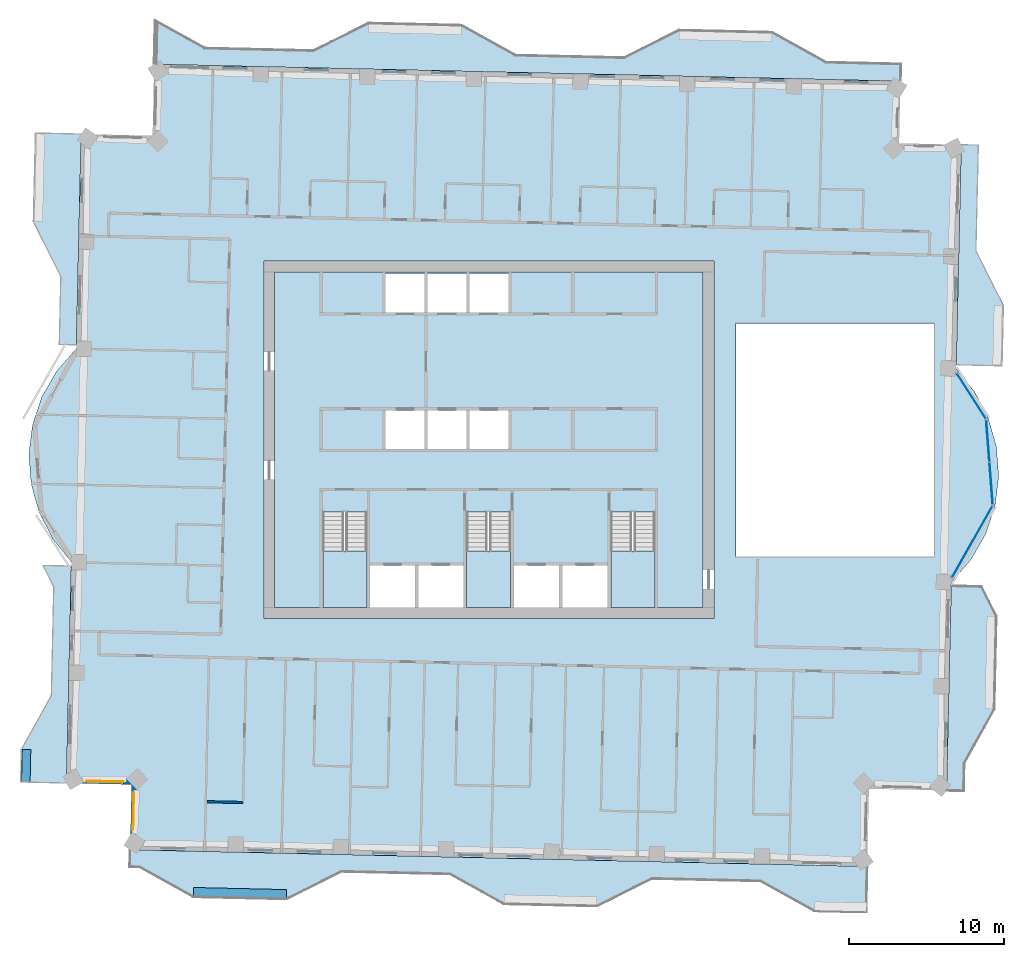
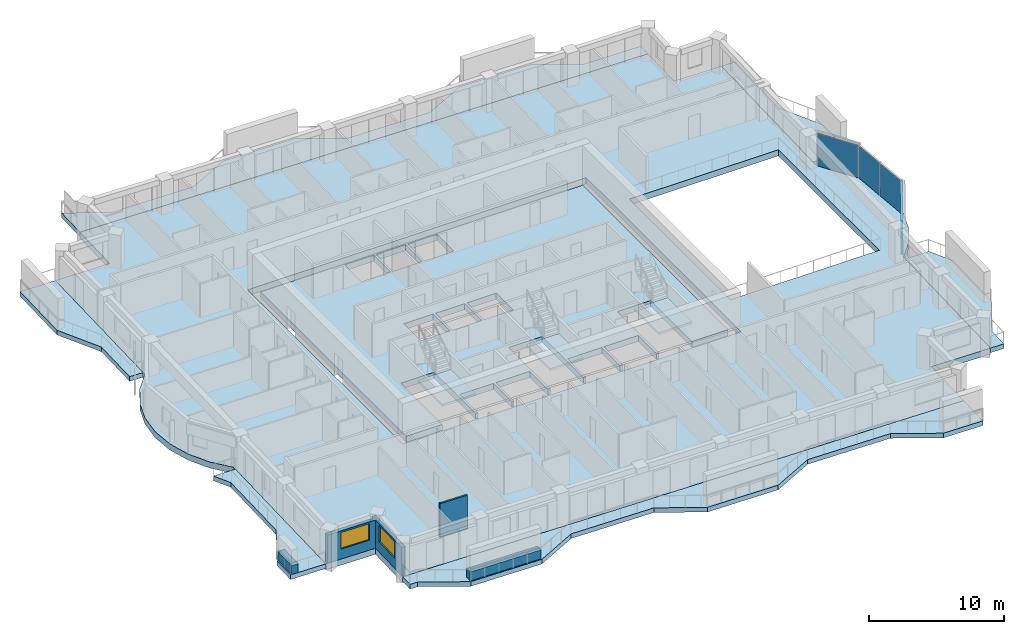
# One storey, part 5 of 17: 11 slabs, 5 walls, 4 plates, 2 windows, 2 openings, 6 elements without a shape of their own.
"""IFC4 building model written with IfcOpenShell, lengths in metres."""

from ifc_helpers import new_model, si_unit, direction, frame, frame_2d, origin, origin_2d, place, context, subcontext, project, spatial, polyline, rectangle, outline, extrude, material, layer, layer_set, type_object, element, fill, aggregate, save


model = new_model("IFC4")

# Units and contexts
model_context = context("Model", 3, precision=1e-05, world=origin(), true_north=direction((0.0, 1.0)))
body_context = subcontext(model_context, "Body", "Model", "MODEL_VIEW")
ifc_project = project(units=[si_unit("LENGTHUNIT", "METRE"), si_unit("AREAUNIT", "SQUARE_METRE"), si_unit("VOLUMEUNIT", "CUBIC_METRE"), si_unit("PLANEANGLEUNIT", "RADIAN"), si_unit("MASSUNIT", "GRAM", prefix="KILO")], contexts=[model_context])

# Site, building, storey
site_placement = place(None, origin())
site = spatial("IfcSite", under=ifc_project, at=site_placement, CompositionType="ELEMENT")
building_placement = place(site_placement, origin())
building = spatial("IfcBuilding", under=site, at=building_placement, Name="Mangrove Gate Tower", CompositionType="ELEMENT")
storey_placement = place(building_placement, frame((0.0, 0.0, 271.699951171875)))
storey = spatial("IfcBuildingStorey", under=building, at=storey_placement, Name="L69", CompositionType="ELEMENT", Elevation=271.699951171875)

# Curtain wall, plate
ifc_material_1 = material(Name="Aluminium and glass curtain wall", Category="aluminium")
curtain_wall_type = type_object("IfcCurtainWallType", Name="Atrium garden-court glazing wall", PredefinedType="NOTDEFINED", material=ifc_material_1)
curtain_wall_1_placement = place(storey_placement, origin())
curtain_wall_1 = element("IfcCurtainWall", 1, at=curtain_wall_1_placement, inside=storey, type_object=curtain_wall_type, Name="Atrium garden-court glazing E1f1", PredefinedType="NOTDEFINED")
ifc_material_2 = material(Name="Laminated low-e glass", Category="glass")
ifc_layer_1 = layer(ifc_material_2, 0.031982421875)
ifc_layer_set_1 = layer_set([ifc_layer_1], Name="Atrium garden-court glazing panel 32")
plate_type = type_object("IfcPlateType", Name="Atrium garden-court glazing panel 32", PredefinedType="CURTAIN_PANEL", material=ifc_layer_set_1)
plate_1_placement = place(storey_placement, frame((31.117919921875, -6.572509765625, 0.0), z_axis=(0.0, 0.0, 1.0), x_axis=(0.492567972087, 0.870273975754, 0.0)))
plate_1 = element("IfcPlate", 2, at=plate_1_placement, type_object=plate_type, Name="CWA panel 1.1", PredefinedType="CURTAIN_PANEL", context=body_context, shape_type="SweptSolid", body=[
    extrude(rectangle(XDim=5.257568359375, YDim=0.031982421875, at=origin_2d()), origin(), (0.0, 0.0, 1.0), 2.97998046875),
])
aggregate(curtain_wall_1, [plate_1])

# Curtain wall, plates
curtain_wall_2_placement = place(storey_placement, origin())
curtain_wall_2 = element("IfcCurtainWall", 3, at=curtain_wall_2_placement, inside=storey, type_object=curtain_wall_type, Name="Atrium garden-court glazing E1f2", PredefinedType="NOTDEFINED")
plate_2_placement = place(storey_placement, frame((32.338623046875, -2.817138671875, 0.0), z_axis=(0.0, 0.0, 1.0), x_axis=(-0.077023348403, 0.997029289339, 0.0)))
plate_2 = element("IfcPlate", 4, at=plate_2_placement, type_object=plate_type, Name="CWA panel 1.1", PredefinedType="CURTAIN_PANEL", context=body_context, shape_type="SweptSolid", body=[
    extrude(rectangle(XDim=2.681640625, YDim=0.031982421875, at=origin_2d()), origin(), (0.0, 0.0, 1.0), 2.97998046875),
])
plate_3_placement = place(storey_placement, frame((32.126708984375, -0.07373046875, 0.0), z_axis=(0.0, 0.0, 1.0), x_axis=(-0.077023348403, 0.997029289339, 0.0)))
plate_3 = element("IfcPlate", 5, at=plate_3_placement, type_object=plate_type, Name="CWA panel 2.1", PredefinedType="CURTAIN_PANEL", context=body_context, shape_type="SweptSolid", body=[
    extrude(rectangle(XDim=2.681640625, YDim=0.031982421875, at=origin_2d()), origin(), (0.0, 0.0, 1.0), 2.97998046875),
])
aggregate(curtain_wall_2, [plate_2, plate_3])

# Curtain wall, plate
curtain_wall_3_placement = place(storey_placement, origin())
curtain_wall_3 = element("IfcCurtainWall", 6, at=curtain_wall_3_placement, inside=storey, type_object=curtain_wall_type, Name="Atrium garden-court glazing E1f3", PredefinedType="NOTDEFINED")
plate_4_placement = place(storey_placement, frame((31.0537109375, 2.833984375, 0.0), z_axis=(0.0, 0.0, 1.0), x_axis=(-0.540498107045, 0.841345230141, 0.0)))
plate_4 = element("IfcPlate", 7, at=plate_4_placement, type_object=plate_type, Name="CWA panel 1.1", PredefinedType="CURTAIN_PANEL", context=body_context, shape_type="SweptSolid", body=[
    extrude(rectangle(XDim=3.427978515625, YDim=0.031982421875, at=origin_2d()), origin(), (0.0, 0.0, 1.0), 2.97998046875),
])
aggregate(curtain_wall_3, [plate_4])

# Slabs
ifc_material_3 = material(Name="Porcelain tile")
ifc_layer_2 = layer(ifc_material_3, 0.02001953125, Name="Tile finish")
ifc_material_4 = material(Name="Cement sand screed")
ifc_layer_3 = layer(ifc_material_4, 0.0400390625, Name="Screed laid to falls")
ifc_material_5 = material(Name="Bituminous waterproofing membrane")
ifc_layer_4 = layer(ifc_material_5, 0.00390625, Name="Waterproofing")
ifc_material_6 = material(Name="Concrete C40/50", Category="concrete")
ifc_layer_5 = layer(ifc_material_6, 0.340087890625, Name="Balcony structural slab")
ifc_material_7 = material(Name="Limestone", Category="masonry")
ifc_layer_6 = layer(ifc_material_7, 0.01611328125, Name="Soffit lining")
ifc_layer_set_2 = layer_set([ifc_layer_2, ifc_layer_3, ifc_layer_4, ifc_layer_5, ifc_layer_6], Name="Balcony slab 420 C40/50")
slab_type_1 = type_object("IfcSlabType", Name="Balcony slab 420 C40/50", PredefinedType="FLOOR", material=ifc_layer_set_2)
slab_1_placement = place(storey_placement, frame((0.0, 0.0, -0.419921875)))
element("IfcSlab", 8, at=slab_1_placement, inside=storey, type_object=slab_type_1, Name="BALCONY L69 E0", PredefinedType="FLOOR", context=body_context, shape_type="SweptSolid", body=[
    extrude(outline(polyline([(30.60791015625, -22.614013671875), (30.64892578125, -20.81396484375), (32.577880859375, -17.35693359375), (32.714111328125, -11.35791015625), (31.76611328125, -9.4619140625), (29.76708984375, -9.416015625), (29.72509765625, -11.291015625), (29.587890625, -17.2890625), (29.509033203125, -20.7880859375), (29.468017578125, -22.587890625), (30.60791015625, -22.614013671875)])), origin(), (0.0, 0.0, 1.0), 0.419921875),
])
slab_2_placement = place(storey_placement, frame((0.0, 0.0, -0.419921875)))
element("IfcSlab", 9, at=slab_2_placement, inside=storey, type_object=slab_type_1, Name="BALCONY L69 E1", PredefinedType="FLOOR", context=body_context, shape_type="SweptSolid", body=[
    extrude(outline(polyline([(33.080078125, 4.762939453125), (33.1669921875, 8.635986328125), (31.39697265625, 12.177978515625), (31.552001953125, 18.97607421875), (30.412109375, 19.001953125), (30.258056640625, 12.202880859375), (30.177978515625, 8.7041015625), (30.090087890625, 4.8310546875), (33.080078125, 4.762939453125)])), origin(), (0.0, 0.0, 1.0), 0.419921875),
])
slab_3_placement = place(storey_placement, frame((0.0, 0.0, -0.419921875)))
element("IfcSlab", 10, at=slab_3_placement, inside=storey, type_object=slab_type_1, Name="BALCONY L69 N0", PredefinedType="FLOOR", context=body_context, shape_type="SweptSolid", body=[
    extrude(outline(polyline([(26.530029296875, 24.23095703125), (21.695068359375, 24.341064453125), (18.238037109375, 26.27001953125), (12.239013671875, 26.406005859375), (8.697998046875, 24.635986328125), (2.5, 24.77587890625), (1.699951171875, 24.794921875), (-1.757080078125, 26.722900390625), (-7.756103515625, 26.860107421875), (-11.297119140625, 25.090087890625), (-18.294921875, 25.248046875), (-21.490966796875, 27.031982421875), (-21.555908203125, 24.181884765625), (26.50390625, 23.091064453125), (26.530029296875, 24.23095703125)])), origin(), (0.0, 0.0, 1.0), 0.419921875),
])
slab_4_placement = place(storey_placement, frame((0.0, 0.0, -0.419921875)))
element("IfcSlab", 11, at=slab_4_placement, inside=storey, type_object=slab_type_1, Name="BALCONY L69 W0", PredefinedType="FLOOR", context=body_context, shape_type="SweptSolid", body=[
    extrude(outline(polyline([(-29.248046875, 19.7548828125), (-29.3779296875, 14.056884765625), (-27.60791015625, 10.51611328125), (-27.70703125, 6.14208984375), (-26.56689453125, 6.115966796875), (-26.468017578125, 10.489990234375), (-26.387939453125, 13.989013671875), (-26.259033203125, 19.68798828125), (-29.248046875, 19.7548828125)])), origin(), (0.0, 0.0, 1.0), 0.419921875),
])
slab_5_placement = place(storey_placement, frame((0.0, 0.0, -0.419921875)))
element("IfcSlab", 12, at=slab_5_placement, inside=storey, type_object=slab_type_1, Name="BALCONY L69 W1", PredefinedType="FLOOR", context=body_context, shape_type="SweptSolid", body=[
    extrude(outline(polyline([(-28.756103515625, -8.087890625), (-28.06103515625, -9.47900390625), (-28.219970703125, -16.47705078125), (-30.14892578125, -19.93408203125), (-30.197021484375, -22.033935546875), (-27.20703125, -22.10205078125), (-27.159912109375, -20.001953125), (-27.080078125, -16.5029296875), (-26.922119140625, -9.5048828125), (-26.889892578125, -8.131103515625), (-28.756103515625, -8.087890625)])), origin(), (0.0, 0.0, 1.0), 0.419921875),
])
slab_6_placement = place(storey_placement, frame((0.0, 0.0, -0.419921875)))
element("IfcSlab", 13, at=slab_6_placement, inside=storey, type_object=slab_type_1, Name="BALCONY L69 S0", PredefinedType="FLOOR", context=body_context, shape_type="SweptSolid", body=[
    extrude(outline(polyline([(-23.1298828125, -27.535888671875), (-22.493896484375, -27.550048828125), (-19.037109375, -29.47900390625), (-13.0380859375, -29.614990234375), (-9.4970703125, -27.844970703125), (-2.4990234375, -28.00390625), (0.56298828125, -29.7119140625), (0.9580078125, -29.93310546875), (6.95703125, -30.069091796875), (10.498046875, -28.300048828125), (17.49609375, -28.4580078125), (20.952880859375, -30.385986328125), (24.2880859375, -30.4619140625), (24.35595703125, -27.472900390625), (-23.10400390625, -26.39599609375), (-23.1298828125, -27.535888671875)])), origin(), (0.0, 0.0, 1.0), 0.419921875),
])
ifc_material_8 = material(Name="Concrete C40/50", Category="concrete")
ifc_layer_7 = layer(ifc_material_8, 0.550048828125)
ifc_layer_set_3 = layer_set([ifc_layer_7], Name="Core floor slab 550 C40/50")
slab_type_2 = type_object("IfcSlabType", Name="Core floor slab 550 C40/50", PredefinedType="FLOOR", material=ifc_layer_set_3)
slab_7_placement = place(storey_placement, frame((0.0, 0.0, -0.550048828125)))
element("IfcSlab", 14, at=slab_7_placement, inside=storey, type_object=slab_type_2, Name="SLAB-L69-CORE-1", PredefinedType="FLOOR", context=body_context, shape_type="SweptSolid", body=[
    extrude(outline(polyline([(-13.800048828125, -10.800048828125), (-13.800048828125, 10.800048828125), (13.800048828125, 10.800048828125), (13.800048828125, -10.800048828125), (10.699951171875, -10.800048828125), (10.699951171875, -4.653076171875), (7.85009765625, -4.653076171875), (7.85009765625, -10.800048828125), (7.64990234375, -10.800048828125), (7.64990234375, -8.10009765625), (4.72509765625, -8.10009765625), (4.72509765625, -10.800048828125), (4.52490234375, -10.800048828125), (4.52490234375, -8.10009765625), (1.60009765625, -8.10009765625), (1.60009765625, -10.800048828125), (1.39990234375, -10.800048828125), (1.39990234375, -4.653076171875), (-1.449951171875, -4.653076171875), (-1.449951171875, -10.800048828125), (-1.64990234375, -10.800048828125), (-1.64990234375, -8.10009765625), (-4.550048828125, -8.10009765625), (-4.550048828125, -10.800048828125), (-4.75, -10.800048828125), (-4.75, -8.10009765625), (-7.64990234375, -8.10009765625), (-7.64990234375, -10.800048828125), (-7.85009765625, -10.800048828125), (-7.85009765625, -4.653076171875), (-10.699951171875, -4.653076171875), (-10.699951171875, -10.800048828125), (-13.800048828125, -10.800048828125)]), holes=[polyline([(-4.14990234375, 1.89990234375), (-6.64990234375, 1.89990234375), (-6.64990234375, -0.60009765625), (-4.14990234375, -0.60009765625), (-4.14990234375, 1.89990234375)]), polyline([(-1.449951171875, -0.60009765625), (-1.449951171875, 1.89990234375), (-3.949951171875, 1.89990234375), (-3.949951171875, -0.60009765625), (-1.449951171875, -0.60009765625)]), polyline([(-4.14990234375, 8.199951171875), (-4.14990234375, 10.699951171875), (-6.64990234375, 10.699951171875), (-6.64990234375, 8.199951171875), (-4.14990234375, 8.199951171875)]), polyline([(-1.449951171875, 10.699951171875), (-3.949951171875, 10.699951171875), (-3.949951171875, 8.199951171875), (-1.449951171875, 8.199951171875), (-1.449951171875, 10.699951171875)]), polyline([(1.25, -0.60009765625), (1.25, 1.89990234375), (-1.25, 1.89990234375), (-1.25, -0.60009765625), (1.25, -0.60009765625)]), polyline([(1.25, 8.199951171875), (1.25, 10.699951171875), (-1.25, 10.699951171875), (-1.25, 8.199951171875), (1.25, 8.199951171875)])]), origin(), (0.0, 0.0, 1.0), 0.550048828125),
])

# Stair, slab
ifc_material_9 = material(Name="Concrete C40/50", Category="concrete")
stair_type = type_object("IfcStairType", Name="Core stair 1350", PredefinedType="HALF_TURN_STAIR", material=ifc_material_9)
stair_1_placement = place(storey_placement, origin())
stair_1 = element("IfcStair", 15, at=stair_1_placement, inside=storey, type_object=stair_type, Name="L69 Stair 1", PredefinedType="HALF_TURN_STAIR")
ifc_material_10 = material(Name="Concrete C40/50", Category="concrete")
ifc_layer_8 = layer(ifc_material_10, 0.199951171875)
ifc_layer_set_4 = layer_set([ifc_layer_8], Name="Core stair landing 200")
slab_type_3 = type_object("IfcSlabType", Name="Core stair landing 200", PredefinedType="LANDING", material=ifc_layer_set_4)
slab_8_placement = place(storey_placement, frame((0.0, 0.0, 1.60009765625)))
slab_8 = element("IfcSlab", 16, at=slab_8_placement, type_object=slab_type_3, Name="ST1 landing 1", PredefinedType="LANDING", context=body_context, shape_type="SweptSolid", body=[
    extrude(outline(polyline([(-10.699951171875, -7.169921875), (-10.699951171875, -10.800048828125), (-7.85009765625, -10.800048828125), (-7.85009765625, -7.169921875), (-10.699951171875, -7.169921875)])), origin(), (0.0, 0.0, 1.0), 0.199951171875),
])
aggregate(stair_1, [slab_8])

stair_2_placement = place(storey_placement, origin())
stair_2 = element("IfcStair", 17, at=stair_2_placement, inside=storey, type_object=stair_type, Name="L69 Stair 2", PredefinedType="HALF_TURN_STAIR")
slab_9_placement = place(storey_placement, frame((0.0, 0.0, 1.60009765625)))
slab_9 = element("IfcSlab", 18, at=slab_9_placement, type_object=slab_type_3, Name="ST2 landing 1", PredefinedType="LANDING", context=body_context, shape_type="SweptSolid", body=[
    extrude(outline(polyline([(-1.449951171875, -7.169921875), (-1.449951171875, -10.800048828125), (1.39990234375, -10.800048828125), (1.39990234375, -7.169921875), (-1.449951171875, -7.169921875)])), origin(), (0.0, 0.0, 1.0), 0.199951171875),
])
aggregate(stair_2, [slab_9])

stair_3_placement = place(storey_placement, origin())
stair_3 = element("IfcStair", 19, at=stair_3_placement, inside=storey, type_object=stair_type, Name="L69 Stair 3", PredefinedType="HALF_TURN_STAIR")
slab_10_placement = place(storey_placement, frame((0.0, 0.0, 1.60009765625)))
slab_10 = element("IfcSlab", 20, at=slab_10_placement, type_object=slab_type_3, Name="ST3 landing 1", PredefinedType="LANDING", context=body_context, shape_type="SweptSolid", body=[
    extrude(outline(polyline([(7.85009765625, -7.169921875), (7.85009765625, -10.800048828125), (10.699951171875, -10.800048828125), (10.699951171875, -7.169921875), (7.85009765625, -7.169921875)])), origin(), (0.0, 0.0, 1.0), 0.199951171875),
])
aggregate(stair_3, [slab_10])

# Slab
ifc_material_11 = material(Name="Concrete C40/50", Category="concrete")
ifc_layer_9 = layer(ifc_material_11, 0.550048828125)
ifc_layer_set_5 = layer_set([ifc_layer_9], Name="Floor slab 550 C40/50")
slab_type_4 = type_object("IfcSlabType", Name="Floor slab 550 C40/50", PredefinedType="FLOOR", material=ifc_layer_set_5)
slab_11_placement = place(storey_placement, frame((0.0, 0.0, -0.550048828125)))
element("IfcSlab", 21, at=slab_11_placement, inside=storey, type_object=slab_type_4, Name="Floor slab L69", PredefinedType="FLOOR", context=body_context, shape_type="SweptSolid", body=[
    extrude(outline(polyline([(-23.103759765625, -26.39599609375), (24.35595703125, -27.472900390625), (24.469482421875, -22.47412109375), (29.46826171875, -22.587646484375), (29.772705078125, -9.16650390625), (31.03564453125, -7.72998046875), (31.98876953125, -6.071533203125), (32.59423828125, -4.257080078125), (32.827880859375, -2.358642578125), (32.6806640625, -0.45166015625), (32.158203125, 1.388427734375), (31.28125, 3.08837890625), (30.084716796875, 4.58056640625), (30.411865234375, 19.001708984375), (26.4130859375, 19.09228515625), (26.503662109375, 23.09130859375), (-21.555908203125, 24.181884765625), (-21.66015625, 19.583251953125), (-26.259033203125, 19.6875), (-26.57275390625, 5.866455078125), (-27.835693359375, 4.429931640625), (-28.788818359375, 2.771484375), (-29.394287109375, 0.95703125), (-29.6279296875, -0.94140625), (-29.480712890625, -2.848388671875), (-28.958251953125, -4.6884765625), (-28.081298828125, -6.388427734375), (-26.884765625, -7.880615234375), (-27.20751953125, -22.101806640625), (-23.008544921875, -22.197021484375), (-23.103759765625, -26.39599609375)]), holes=[polyline([(15.89990234375, 7.5), (28.658935546875, 7.5), (28.658935546875, -7.5), (15.89990234375, -7.5), (15.89990234375, 7.5)]), polyline([(-14.5, -11.5), (-14.5, 11.5), (14.5, 11.5), (14.5, -11.5), (-14.5, -11.5)])]), origin(), (0.0, 0.0, 1.0), 0.550048828125),
])

# Wall, opening, window
ifc_layer_10 = layer(ifc_material_7, 0.0400390625, Name="Limestone cladding")
ifc_material_12 = material(Name="Ventilated air gap")
ifc_layer_11 = layer(ifc_material_12, 0.0400390625, Name="Ventilated cavity")
ifc_material_13 = material(Name="Mineral wool insulation")
ifc_layer_12 = layer(ifc_material_13, 0.06005859375, Name="Insulation")
ifc_material_14 = material(Name="Breather membrane")
ifc_layer_13 = layer(ifc_material_14, 0.001953125, Name="Breather membrane")
ifc_material_15 = material(Name="Concrete C20/25 blockwork", Category="masonry")
ifc_layer_14 = layer(ifc_material_15, 0.14990234375, Name="Blockwork backing wall")
ifc_material_16 = material(Name="Gypsum plaster")
ifc_layer_15 = layer(ifc_material_16, 0.008056640625, Name="Internal plaster")
ifc_layer_set_6 = layer_set([ifc_layer_10, ifc_layer_11, ifc_layer_12, ifc_layer_13, ifc_layer_14, ifc_layer_15], Name="External wall 300 limestone cladding")
wall_type_1 = type_object("IfcWallType", Name="External wall 300 limestone cladding", PredefinedType="SOLIDWALL", material=ifc_layer_set_6)
wall_1_placement = place(storey_placement, frame((-27.053955078125, -21.955078125, 0.0), z_axis=(0.0, 0.0, 1.0), x_axis=(0.999744320311, -0.022611811187, 0.0)))
wall_1 = element("IfcWall", 22, at=wall_1_placement, inside=storey, type_object=wall_type_1, Name="WALL-L69-S11", PredefinedType="SOLIDWALL", context=body_context, shape_type="SweptSolid", body=[
    extrude(rectangle(XDim=4.199951171875, YDim=0.300048828125, at=frame_2d((2.10009765625, 0.0))), origin(), (0.0, 0.0, 1.0), 2.550048828125),
])
opening_1_placement = place(wall_1_placement, frame((1.131103515625, 0.0, 0.89990234375)))
opening_1 = element("IfcOpeningElement", 23, at=opening_1_placement, cuts=wall_1, Name="Opening W2", PredefinedType="OPENING", context=body_context, shape_type="SweptSolid", body=[
    extrude(rectangle(XDim=2.39990234375, YDim=1.5, at=frame_2d((1.199951171875, 0.75))), frame((0.0, 0.159912109375, 0.0), z_axis=(0.0, -1.0, 0.0), x_axis=(1.0, 0.0, 0.0)), (0.0, 0.0, 1.0), 0.320068359375),
])
ifc_material_17 = material(Name="Aluminium frame with double-glazed low-e glass", Category="aluminium")
window_type = type_object("IfcWindowType", Name="Corner room window 2400x1500", PartitioningType="DOUBLE_PANEL_VERTICAL", PredefinedType="WINDOW", material=ifc_material_17)
window_1_placement = place(opening_1_placement, origin())
window_1 = element("IfcWindow", 24, at=window_1_placement, inside=storey, type_object=window_type, Name="WIN-L69-S11-1", OverallHeight=1.5, OverallWidth=2.39990234375, PartitioningType="DOUBLE_PANEL_VERTICAL", PredefinedType="WINDOW", context=body_context, shape_type="SweptSolid", body=[
    extrude(rectangle(XDim=2.39990234375, YDim=1.5, at=frame_2d((1.199951171875, 0.75))), frame((0.0, 0.030029296875, 0.0), z_axis=(0.0, -1.0, 0.0), x_axis=(1.0, 0.0, 0.0)), (0.0, 0.0, 1.0), 0.06005859375),
])
fill(opening_1, window_1)

wall_2_placement = place(storey_placement, frame((-22.845947265625, -21.6630859375, 0.0), z_axis=(0.0, 0.0, 1.0), x_axis=(-0.022673045659, -0.999742933459, 0.0)))
wall_2 = element("IfcWall", 25, at=wall_2_placement, inside=storey, type_object=wall_type_1, Name="WALL-L69-W12s1", PredefinedType="SOLIDWALL", context=body_context, shape_type="SweptSolid", body=[
    extrude(rectangle(XDim=4.587158203125, YDim=0.300048828125, at=frame_2d((2.29345703125, 0.0))), origin(), (0.0, 0.0, 1.0), 2.550048828125),
])
opening_2_placement = place(wall_2_placement, frame((1.05810546875, 0.0, 0.89990234375)))
opening_2 = element("IfcOpeningElement", 26, at=opening_2_placement, cuts=wall_2, Name="Opening W2", PredefinedType="OPENING", context=body_context, shape_type="SweptSolid", body=[
    extrude(rectangle(XDim=2.39990234375, YDim=1.5, at=frame_2d((1.199951171875, 0.75))), frame((0.0, 0.159912109375, 0.0), z_axis=(0.0, -1.0, 0.0), x_axis=(1.0, 0.0, 0.0)), (0.0, 0.0, 1.0), 0.320068359375),
])
window_2_placement = place(opening_2_placement, origin())
window_2 = element("IfcWindow", 27, at=window_2_placement, inside=storey, type_object=window_type, Name="WIN-L69-W12-1", OverallHeight=1.5, OverallWidth=2.39990234375, PartitioningType="DOUBLE_PANEL_VERTICAL", PredefinedType="WINDOW", context=body_context, shape_type="SweptSolid", body=[
    extrude(rectangle(XDim=2.39990234375, YDim=1.5, at=frame_2d((1.199951171875, 0.75))), frame((0.0, 0.030029296875, 0.0), z_axis=(0.0, -1.0, 0.0), x_axis=(1.0, 0.0, 0.0)), (0.0, 0.0, 1.0), 0.06005859375),
])
fill(opening_2, window_2)

# Walls
ifc_material_18 = material(Name="Gypsum board on steel stud, EI 60", Category="steel")
ifc_layer_16 = layer(ifc_material_18, 0.14990234375)
ifc_layer_set_7 = layer_set([ifc_layer_16], Name="Party wall 150 EI 60")
wall_type_2 = type_object("IfcWallType", Name="Party wall 150 EI 60", PredefinedType="PARTITIONING", material=ifc_layer_set_7)
wall_3_placement = place(storey_placement, frame((-18.156982421875, -23.306884765625, 0.0), z_axis=(0.0, 0.0, 1.0), x_axis=(0.999737862264, -0.022895561926, 0.0)))
element("IfcWall", 28, at=wall_3_placement, inside=storey, type_object=wall_type_2, Name="WALL-L69-010", PredefinedType="PARTITIONING", context=body_context, shape_type="SweptSolid", body=[
    extrude(rectangle(XDim=2.324462890625, YDim=0.14990234375, at=frame_2d((1.162109375, 0.0))), origin(), (0.0, 0.0, 1.0), 3.050048828125),
])
ifc_material_19 = material(Name="Concrete C32/40", Category="concrete")
ifc_layer_17 = layer(ifc_material_19, 0.199951171875, Name="Planter trough wall")
ifc_layer_18 = layer(ifc_material_5, 0.0048828125, Name="Waterproofing")
ifc_material_20 = material(Name="Drainage board and gravel")
ifc_layer_19 = layer(ifc_material_20, 0.044921875, Name="Drainage layer")
ifc_material_21 = material(Name="Planting soil")
ifc_layer_20 = layer(ifc_material_21, 0.300048828125, Name="Growing medium")
ifc_layer_set_8 = layer_set([ifc_layer_17, ifc_layer_18, ifc_layer_19, ifc_layer_20], Name="Planter wall 550 C32/40")
wall_type_3 = type_object("IfcWallType", Name="Planter wall 550 C32/40", PredefinedType="USERDEFINED", material=ifc_layer_set_8)
wall_4_placement = place(storey_placement, frame((-29.822021484375, -22.0419921875, 0.0), z_axis=(0.0, 0.0, 1.0), x_axis=(0.022908956429, 0.999737555419, 0.0)))
element("IfcWall", 29, at=wall_4_placement, inside=storey, type_object=wall_type_3, Name="PLANTER L69 W1.1", ObjectType="PLANTER", PredefinedType="USERDEFINED", context=body_context, shape_type="SweptSolid", body=[
    extrude(rectangle(XDim=2.099365234375, YDim=0.550048828125, at=frame_2d((1.0498046875, 0.0))), origin(), (0.0, 0.0, 1.0), 0.800048828125),
])
wall_5_placement = place(storey_placement, frame((-19.028076171875, -29.10400390625, 0.0), z_axis=(0.0, 0.0, 1.0), x_axis=(0.999743094499, -0.022665943652, 0.0)))
element("IfcWall", 30, at=wall_5_placement, inside=storey, type_object=wall_type_3, Name="PLANTER L69 S0.1", ObjectType="PLANTER", PredefinedType="USERDEFINED", context=body_context, shape_type="SweptSolid", body=[
    extrude(rectangle(XDim=5.99951171875, YDim=0.550048828125, at=frame_2d((2.999755859375, 0.0))), origin(), (0.0, 0.0, 1.0), 0.800048828125),
])

save(model, "model.ifc")
